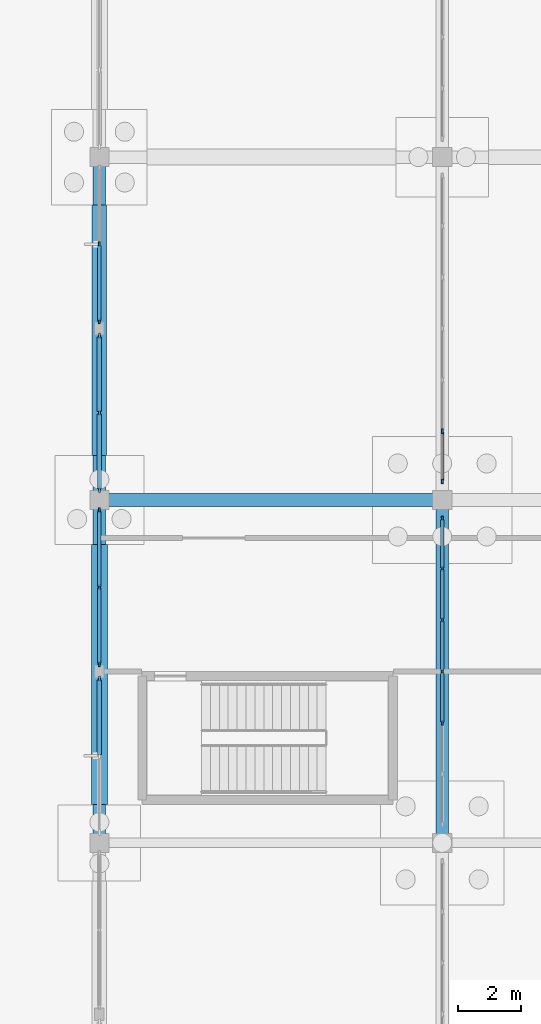
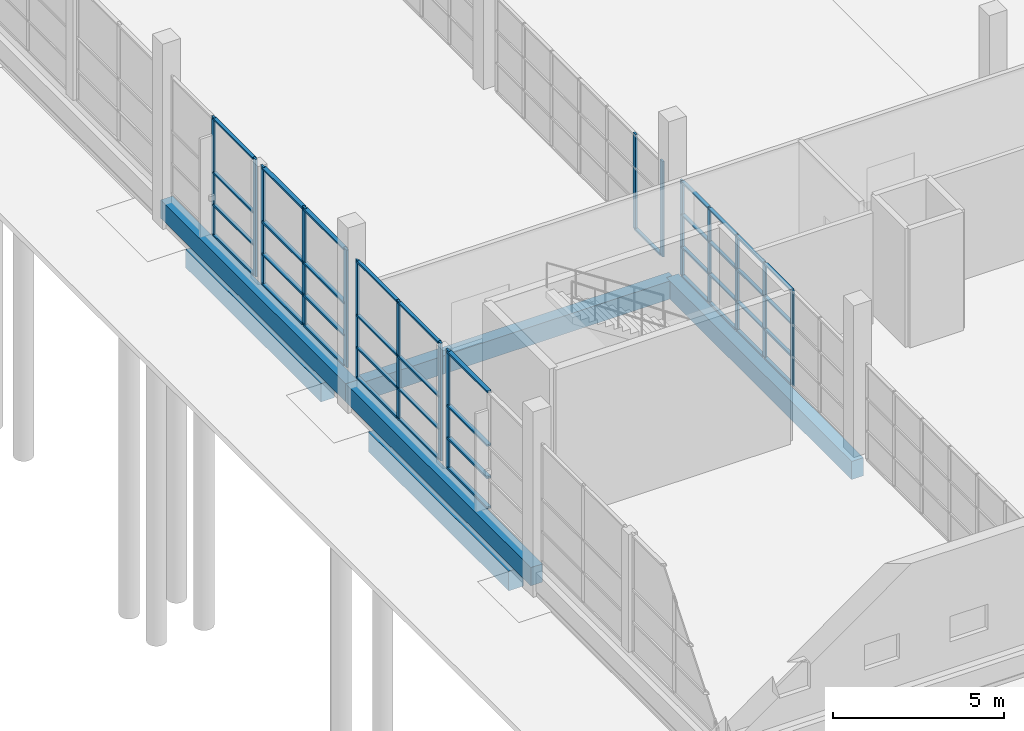
# One storey, part 17 of 138: 57 members, 6 beams, 6 elements without a shape of their own.
"""IFC4 building model written with IfcOpenShell, lengths in metres."""

from ifc_helpers import new_model, si_unit, direction, frame, origin, origin_2d, place, context, subcontext, project, spatial, rectangle, extrude, material, material_profile, profile_set, type_object, element, aggregate, save


model = new_model("IFC4")

# Units and contexts
model_context = context("Model", 3, precision=1e-05, world=origin(), true_north=direction((0.0, 1.0)))
body_context = subcontext(model_context, "Body", "Model", "MODEL_VIEW")
ifc_project = project(units=[si_unit("LENGTHUNIT", "METRE"), si_unit("AREAUNIT", "SQUARE_METRE"), si_unit("VOLUMEUNIT", "CUBIC_METRE"), si_unit("PLANEANGLEUNIT", "RADIAN"), si_unit("MASSUNIT", "GRAM", prefix="KILO")], contexts=[model_context])

# Site, building, storey
site_placement = place(None, origin())
site = spatial("IfcSite", under=ifc_project, at=site_placement, CompositionType="ELEMENT")
building_placement = place(site_placement, origin())
building = spatial("IfcBuilding", under=site, at=building_placement, Name="Zwinboog Wholesale Market", CompositionType="ELEMENT")
storey_placement = place(building_placement, origin())
storey = spatial("IfcBuildingStorey", under=building, at=storey_placement, Name="L00", CompositionType="ELEMENT", Elevation=0.0)

# Beams
ifc_material_1 = material(Name="Precast concrete C45/55", Category="concrete")
ifc_material_profile_1 = material_profile(ifc_material_1, rectangle(XDim=0.39990234375, YDim=0.64990234375, at=origin_2d()), Name="PC 400x650")
ifc_profile_set_1 = profile_set([ifc_material_profile_1], Name="Precast concrete C45/55")
beam_type_1 = type_object("IfcBeamType", Name="BT-05", PredefinedType="BEAM", material=ifc_profile_set_1)
for number, where, z_axis, x_axis, name in (
    (1, (0.0, 21.60009765625, -0.680908203125), (1.0, 0.0, 0.0), (0.0, 1.0, 0.0), "BG-05 (BMG-L00-0000-0216-0029)"),
    (2, (0.0, 10.800048828125, -0.680908203125), (0.0, 1.0, 0.0), (-1.0, 0.0, 0.0), "BG-05 (BMG-L00-0000-0108-0212)"),
):
    element("IfcBeam", number, at=place(storey_placement, frame(where, z_axis=z_axis, x_axis=x_axis)), inside=storey, type_object=beam_type_1, Name=name, PredefinedType="BEAM", context=body_context, shape_type="SweptSolid", body=[
        extrude(rectangle(XDim=0.39990234375, YDim=0.64990234375, at=origin_2d()), origin(), (0.0, 0.0, 1.0), 10.800048828125),
    ])
beam_1_placement = place(storey_placement, frame((0.0, 21.60009765625, -0.680908203125), z_axis=(0.0, 1.0, 0.0), x_axis=(-1.0, 0.0, 0.0)))
element("IfcBeam", 3, at=beam_1_placement, inside=storey, type_object=beam_type_1, Name="BG-05 (BMG-L00-0000-0216-0213)", PredefinedType="BEAM", context=body_context, shape_type="SweptSolid", body=[
    extrude(rectangle(XDim=0.39990234375, YDim=0.64990234375, at=origin_2d()), origin(), (0.0, 0.0, 1.0), 10.7998046875),
])
beam_2_placement = place(storey_placement, frame((10.800048828125, 10.800048828125, -0.680908203125), z_axis=(0.0, 1.0, 0.0), x_axis=(-1.0, 0.0, 0.0)))
element("IfcBeam", 4, at=beam_2_placement, inside=storey, type_object=beam_type_1, Name="BG-05 (BMG-L00-0108-0108-0224)", PredefinedType="BEAM", context=body_context, shape_type="SweptSolid", body=[
    extrude(rectangle(XDim=0.39990234375, YDim=0.64990234375, at=origin_2d()), origin(), (0.0, 0.0, 1.0), 10.800048828125),
])
ifc_material_2 = material(Name="Concrete C35/45", Category="concrete")
ifc_material_profile_2 = material_profile(ifc_material_2, rectangle(XDim=0.5, YDim=0.699951171875, at=origin_2d()), Name="RC 500x700")
ifc_profile_set_2 = profile_set([ifc_material_profile_2], Name="Concrete C35/45")
beam_type_2 = type_object("IfcBeamType", Name="BT-12", PredefinedType="USERDEFINED", material=ifc_profile_set_2)
beam_3_placement = place(storey_placement, frame((0.0, 12.0048828125, -1.550048828125), z_axis=(0.0, 1.0, 0.0), x_axis=(-1.0, 0.0, 0.0)))
element("IfcBeam", 5, at=beam_3_placement, inside=storey, type_object=beam_type_2, Name="GB-01 (BM-GB-0128)", ObjectType="GROUND_BEAM", PredefinedType="USERDEFINED", context=body_context, shape_type="SweptSolid", body=[
    extrude(rectangle(XDim=0.5, YDim=0.699951171875, at=origin_2d()), origin(), (0.0, 0.0, 1.0), 8.190185546875),
])
ifc_material_profile_3 = material_profile(ifc_material_2, rectangle(XDim=0.449951171875, YDim=0.64990234375, at=origin_2d()), Name="RC 450x650")
ifc_profile_set_3 = profile_set([ifc_material_profile_3], Name="Concrete C35/45")
beam_type_3 = type_object("IfcBeamType", Name="BT-13", PredefinedType="USERDEFINED", material=ifc_profile_set_3)
beam_4_placement = place(storey_placement, frame((0.0, 23.0048828125, -1.52490234375), z_axis=(0.0, 1.0, 0.0), x_axis=(-1.0, 0.0, 0.0)))
element("IfcBeam", 6, at=beam_4_placement, inside=storey, type_object=beam_type_3, Name="GB-02 (BM-GB-0129)", ObjectType="GROUND_BEAM", PredefinedType="USERDEFINED", context=body_context, shape_type="SweptSolid", body=[
    extrude(rectangle(XDim=0.449951171875, YDim=0.64990234375, at=origin_2d()), origin(), (0.0, 0.0, 1.0), 7.89013671875),
])

# Curtain wall, member
ifc_material_3 = material(Name="Aluminium thermally broken curtain wall", Category="aluminium")
curtain_wall_type_1 = type_object("IfcCurtainWallType", Name="CWT-HALL-24", PredefinedType="USERDEFINED", material=ifc_material_3)
curtain_wall_1_placement = place(storey_placement, origin())
curtain_wall_1 = element("IfcCurtainWall", 7, at=curtain_wall_1_placement, inside=storey, type_object=curtain_wall_type_1, Name="CW-03 (CW-L00-003)", ObjectType="UNITIZED_CURTAIN_WALL", PredefinedType="USERDEFINED")
ifc_material_4 = material(Name="Aluminium EN AW-6060", Category="aluminium")
ifc_material_profile_4 = material_profile(ifc_material_4, rectangle(XDim=0.06494140625, YDim=0.179931640625, at=origin_2d()), Name="AL 65x180")
ifc_profile_set_4 = profile_set([ifc_material_profile_4], Name="Aluminium EN AW-6060")
member_type_1 = type_object("IfcMemberType", Name="CWM-65x180", PredefinedType="MULLION", material=ifc_profile_set_4)
member_1_placement = place(storey_placement, frame((0.0, 15.967529296875, 0.0), z_axis=(0.0, 0.0, 1.0), x_axis=(-1.0, 0.0, 0.0)))
member_1 = element("IfcMember", 8, at=member_1_placement, type_object=member_type_1, Name="CW-03 mullion 3", PredefinedType="MULLION", context=body_context, shape_type="SweptSolid", body=[
    extrude(rectangle(XDim=0.06494140625, YDim=0.179931640625, at=origin_2d()), origin(), (0.0, 0.0, 1.0), 4.197998046875),
])

# Curtain wall, members
curtain_wall_type_2 = type_object("IfcCurtainWallType", Name="CWT-CAFE-22", PredefinedType="USERDEFINED", material=ifc_material_3)
curtain_wall_2_placement = place(storey_placement, origin())
curtain_wall_2 = element("IfcCurtainWall", 9, at=curtain_wall_2_placement, inside=storey, type_object=curtain_wall_type_2, Name="CW-05 (CW-L00-005)", ObjectType="STOREFRONT_GLAZING", PredefinedType="USERDEFINED")
member_2_placement = place(storey_placement, frame((0.0, 21.927490234375, 0.0), z_axis=(0.0, 0.0, 1.0), x_axis=(-1.0, 0.0, 0.0)))
member_2 = element("IfcMember", 10, at=member_2_placement, type_object=member_type_1, Name="CW-05 mullion 1", PredefinedType="MULLION", context=body_context, shape_type="SweptSolid", body=[
    extrude(rectangle(XDim=0.06494140625, YDim=0.179931640625, at=origin_2d()), origin(), (0.0, 0.0, 1.0), 4.197998046875),
])
member_3_placement = place(storey_placement, frame((0.0, 24.347412109375, 0.0), z_axis=(0.0, 0.0, 1.0), x_axis=(-1.0, 0.0, 0.0)))
member_3 = element("IfcMember", 11, at=member_3_placement, type_object=member_type_1, Name="CW-05 mullion 2", PredefinedType="MULLION", context=body_context, shape_type="SweptSolid", body=[
    extrude(rectangle(XDim=0.06494140625, YDim=0.179931640625, at=origin_2d()), origin(), (0.0, 0.0, 1.0), 4.197998046875),
])
member_4_placement = place(storey_placement, frame((0.0, 26.767578125, 0.0), z_axis=(0.0, 0.0, 1.0), x_axis=(-1.0, 0.0, 0.0)))
member_4 = element("IfcMember", 12, at=member_4_placement, type_object=member_type_1, Name="CW-05 mullion 3", PredefinedType="MULLION", context=body_context, shape_type="SweptSolid", body=[
    extrude(rectangle(XDim=0.06494140625, YDim=0.179931640625, at=origin_2d()), origin(), (0.0, 0.0, 1.0), 4.197998046875),
])

curtain_wall_type_3 = type_object("IfcCurtainWallType", Name="CWT-GAL-16", PredefinedType="USERDEFINED", material=ifc_material_3)
curtain_wall_3_placement = place(storey_placement, origin())
curtain_wall_3 = element("IfcCurtainWall", 13, at=curtain_wall_3_placement, inside=storey, type_object=curtain_wall_type_3, Name="CW-04 (CW-L00-004)", ObjectType="UNITIZED_CURTAIN_WALL", PredefinedType="USERDEFINED")
ifc_material_profile_5 = material_profile(ifc_material_4, rectangle(XDim=0.06005859375, YDim=0.14990234375, at=origin_2d()), Name="AL 60x150")
ifc_profile_set_5 = profile_set([ifc_material_profile_5], Name="Aluminium EN AW-6060")
member_type_2 = type_object("IfcMemberType", Name="CWM-60x150", PredefinedType="MULLION", material=ifc_profile_set_5)
member_5_placement = place(storey_placement, frame((0.0, 16.429931640625, 0.0), z_axis=(0.0, 0.0, 1.0), x_axis=(-1.0, 0.0, 0.0)))
member_5 = element("IfcMember", 14, at=member_5_placement, type_object=member_type_2, Name="CW-04 mullion 1", PredefinedType="MULLION", context=body_context, shape_type="SweptSolid", body=[
    extrude(rectangle(XDim=0.06005859375, YDim=0.14990234375, at=origin_2d()), origin(), (0.0, 0.0, 1.0), 4.197998046875),
])
member_6_placement = place(storey_placement, frame((0.0, 18.8525390625, 0.0), z_axis=(0.0, 0.0, 1.0), x_axis=(-1.0, 0.0, 0.0)))
member_6 = element("IfcMember", 15, at=member_6_placement, type_object=member_type_2, Name="CW-04 mullion 2", PredefinedType="MULLION", context=body_context, shape_type="SweptSolid", body=[
    extrude(rectangle(XDim=0.06005859375, YDim=0.14990234375, at=origin_2d()), origin(), (0.0, 0.0, 1.0), 4.197998046875),
])
member_7_placement = place(storey_placement, frame((0.0, 21.27490234375, 0.0), z_axis=(0.0, 0.0, 1.0), x_axis=(-1.0, 0.0, 0.0)))
member_7 = element("IfcMember", 16, at=member_7_placement, type_object=member_type_2, Name="CW-04 mullion 3", PredefinedType="MULLION", context=body_context, shape_type="SweptSolid", body=[
    extrude(rectangle(XDim=0.06005859375, YDim=0.14990234375, at=origin_2d()), origin(), (0.0, 0.0, 1.0), 4.197998046875),
])

curtain_wall_type_4 = type_object("IfcCurtainWallType", Name="CWT-OFF-15", PredefinedType="USERDEFINED", material=ifc_material_3)
curtain_wall_4_placement = place(storey_placement, origin())
curtain_wall_4 = element("IfcCurtainWall", 17, at=curtain_wall_4_placement, inside=storey, type_object=curtain_wall_type_4, Name="CW-06 (CW-L00-006)", ObjectType="UNITIZED_CURTAIN_WALL", PredefinedType="USERDEFINED")
member_8_placement = place(storey_placement, frame((0.0, 27.22998046875, 0.0), z_axis=(0.0, 0.0, 1.0), x_axis=(-1.0, 0.0, 0.0)))
member_8 = element("IfcMember", 18, at=member_8_placement, type_object=member_type_2, Name="CW-06 mullion 1", PredefinedType="MULLION", context=body_context, shape_type="SweptSolid", body=[
    extrude(rectangle(XDim=0.06005859375, YDim=0.14990234375, at=origin_2d()), origin(), (0.0, 0.0, 1.0), 4.197998046875),
])
member_9_placement = place(storey_placement, frame((0.0, 29.652587890625, 0.0), z_axis=(0.0, 0.0, 1.0), x_axis=(-1.0, 0.0, 0.0)))
member_9 = element("IfcMember", 19, at=member_9_placement, type_object=member_type_2, Name="CW-06 mullion 2", PredefinedType="MULLION", context=body_context, shape_type="SweptSolid", body=[
    extrude(rectangle(XDim=0.06005859375, YDim=0.14990234375, at=origin_2d()), origin(), (0.0, 0.0, 1.0), 4.197998046875),
])

# Member
ifc_material_profile_6 = material_profile(ifc_material_4, rectangle(XDim=0.139892578125, YDim=0.06494140625, at=origin_2d()), Name="AL 65x140")
ifc_profile_set_6 = profile_set([ifc_material_profile_6], Name="Aluminium EN AW-6060")
member_type_3 = type_object("IfcMemberType", Name="CWT-65x140", PredefinedType="USERDEFINED", material=ifc_profile_set_6)
member_10_placement = place(storey_placement, frame((0.0, 13.580078125, 0.032470703125), z_axis=(0.0, 1.0, 0.0), x_axis=(-1.0, 0.0, 0.0)))
member_10 = element("IfcMember", 20, at=member_10_placement, type_object=member_type_3, Name="CW-03 transom 2.1", ObjectType="TRANSOM", PredefinedType="USERDEFINED", context=body_context, shape_type="SweptSolid", body=[
    extrude(rectangle(XDim=0.139892578125, YDim=0.06494140625, at=origin_2d()), origin(), (0.0, 0.0, 1.0), 2.35498046875),
])

member_11_placement = place(storey_placement, frame((0.0, 13.580078125, 1.10009765625), z_axis=(0.0, 1.0, 0.0), x_axis=(-1.0, 0.0, 0.0)))
member_11 = element("IfcMember", 21, at=member_11_placement, type_object=member_type_3, Name="CW-03 transom 2.2", ObjectType="TRANSOM", PredefinedType="USERDEFINED", context=body_context, shape_type="SweptSolid", body=[
    extrude(rectangle(XDim=0.139892578125, YDim=0.06494140625, at=origin_2d()), origin(), (0.0, 0.0, 1.0), 2.35498046875),
])

member_12_placement = place(storey_placement, frame((0.0, 13.580078125, 2.25), z_axis=(0.0, 1.0, 0.0), x_axis=(-1.0, 0.0, 0.0)))
member_12 = element("IfcMember", 22, at=member_12_placement, type_object=member_type_3, Name="CW-03 transom 2.3", ObjectType="TRANSOM", PredefinedType="USERDEFINED", context=body_context, shape_type="SweptSolid", body=[
    extrude(rectangle(XDim=0.139892578125, YDim=0.06494140625, at=origin_2d()), origin(), (0.0, 0.0, 1.0), 2.35498046875),
])

member_13_placement = place(storey_placement, frame((0.0, 13.580078125, 4.16552734375), z_axis=(0.0, 1.0, 0.0), x_axis=(-1.0, 0.0, 0.0)))
member_13 = element("IfcMember", 23, at=member_13_placement, type_object=member_type_3, Name="CW-03 transom 2.4", ObjectType="TRANSOM", PredefinedType="USERDEFINED", context=body_context, shape_type="SweptSolid", body=[
    extrude(rectangle(XDim=0.139892578125, YDim=0.06494140625, at=origin_2d()), origin(), (0.0, 0.0, 1.0), 2.35498046875),
])

aggregate(curtain_wall_1, [member_1, member_10, member_11, member_12, member_13])

member_14_placement = place(storey_placement, frame((0.0, 21.9599609375, 0.032470703125), z_axis=(0.0, 1.0, 0.0), x_axis=(-1.0, 0.0, 0.0)))
member_14 = element("IfcMember", 24, at=member_14_placement, type_object=member_type_3, Name="CW-05 transom 1.1", ObjectType="TRANSOM", PredefinedType="USERDEFINED", context=body_context, shape_type="SweptSolid", body=[
    extrude(rectangle(XDim=0.139892578125, YDim=0.06494140625, at=origin_2d()), origin(), (0.0, 0.0, 1.0), 2.35498046875),
])

member_15_placement = place(storey_placement, frame((0.0, 21.9599609375, 1.10009765625), z_axis=(0.0, 1.0, 0.0), x_axis=(-1.0, 0.0, 0.0)))
member_15 = element("IfcMember", 25, at=member_15_placement, type_object=member_type_3, Name="CW-05 transom 1.2", ObjectType="TRANSOM", PredefinedType="USERDEFINED", context=body_context, shape_type="SweptSolid", body=[
    extrude(rectangle(XDim=0.139892578125, YDim=0.06494140625, at=origin_2d()), origin(), (0.0, 0.0, 1.0), 2.35498046875),
])

member_16_placement = place(storey_placement, frame((0.0, 21.9599609375, 2.25), z_axis=(0.0, 1.0, 0.0), x_axis=(-1.0, 0.0, 0.0)))
member_16 = element("IfcMember", 26, at=member_16_placement, type_object=member_type_3, Name="CW-05 transom 1.3", ObjectType="TRANSOM", PredefinedType="USERDEFINED", context=body_context, shape_type="SweptSolid", body=[
    extrude(rectangle(XDim=0.139892578125, YDim=0.06494140625, at=origin_2d()), origin(), (0.0, 0.0, 1.0), 2.35498046875),
])

member_17_placement = place(storey_placement, frame((0.0, 21.9599609375, 4.16552734375), z_axis=(0.0, 1.0, 0.0), x_axis=(-1.0, 0.0, 0.0)))
member_17 = element("IfcMember", 27, at=member_17_placement, type_object=member_type_3, Name="CW-05 transom 1.4", ObjectType="TRANSOM", PredefinedType="USERDEFINED", context=body_context, shape_type="SweptSolid", body=[
    extrude(rectangle(XDim=0.139892578125, YDim=0.06494140625, at=origin_2d()), origin(), (0.0, 0.0, 1.0), 2.35498046875),
])

member_18_placement = place(storey_placement, frame((0.0, 24.3798828125, 0.032470703125), z_axis=(0.0, 1.0, 0.0), x_axis=(-1.0, 0.0, 0.0)))
member_18 = element("IfcMember", 28, at=member_18_placement, type_object=member_type_3, Name="CW-05 transom 2.1", ObjectType="TRANSOM", PredefinedType="USERDEFINED", context=body_context, shape_type="SweptSolid", body=[
    extrude(rectangle(XDim=0.139892578125, YDim=0.06494140625, at=origin_2d()), origin(), (0.0, 0.0, 1.0), 2.355224609375),
])

member_19_placement = place(storey_placement, frame((0.0, 24.3798828125, 1.10009765625), z_axis=(0.0, 1.0, 0.0), x_axis=(-1.0, 0.0, 0.0)))
member_19 = element("IfcMember", 29, at=member_19_placement, type_object=member_type_3, Name="CW-05 transom 2.2", ObjectType="TRANSOM", PredefinedType="USERDEFINED", context=body_context, shape_type="SweptSolid", body=[
    extrude(rectangle(XDim=0.139892578125, YDim=0.06494140625, at=origin_2d()), origin(), (0.0, 0.0, 1.0), 2.355224609375),
])

member_20_placement = place(storey_placement, frame((0.0, 24.3798828125, 2.25), z_axis=(0.0, 1.0, 0.0), x_axis=(-1.0, 0.0, 0.0)))
member_20 = element("IfcMember", 30, at=member_20_placement, type_object=member_type_3, Name="CW-05 transom 2.3", ObjectType="TRANSOM", PredefinedType="USERDEFINED", context=body_context, shape_type="SweptSolid", body=[
    extrude(rectangle(XDim=0.139892578125, YDim=0.06494140625, at=origin_2d()), origin(), (0.0, 0.0, 1.0), 2.355224609375),
])

member_21_placement = place(storey_placement, frame((0.0, 24.3798828125, 4.16552734375), z_axis=(0.0, 1.0, 0.0), x_axis=(-1.0, 0.0, 0.0)))
member_21 = element("IfcMember", 31, at=member_21_placement, type_object=member_type_3, Name="CW-05 transom 2.4", ObjectType="TRANSOM", PredefinedType="USERDEFINED", context=body_context, shape_type="SweptSolid", body=[
    extrude(rectangle(XDim=0.139892578125, YDim=0.06494140625, at=origin_2d()), origin(), (0.0, 0.0, 1.0), 2.355224609375),
])

aggregate(curtain_wall_2, [member_2, member_3, member_4, member_14, member_15, member_16, member_17, member_18, member_19, member_20, member_21])

ifc_material_profile_7 = material_profile(ifc_material_4, rectangle(XDim=0.110107421875, YDim=0.06005859375, at=origin_2d()), Name="AL 60x110")
ifc_profile_set_7 = profile_set([ifc_material_profile_7], Name="Aluminium EN AW-6060")
member_type_4 = type_object("IfcMemberType", Name="CWT-60x110", PredefinedType="USERDEFINED", material=ifc_profile_set_7)
member_22_placement = place(storey_placement, frame((0.0, 16.4599609375, 0.030029296875), z_axis=(0.0, 1.0, 0.0), x_axis=(-1.0, 0.0, 0.0)))
member_22 = element("IfcMember", 32, at=member_22_placement, type_object=member_type_4, Name="CW-04 transom 1.1", ObjectType="TRANSOM", PredefinedType="USERDEFINED", context=body_context, shape_type="SweptSolid", body=[
    extrude(rectangle(XDim=0.110107421875, YDim=0.06005859375, at=origin_2d()), origin(), (0.0, 0.0, 1.0), 2.362548828125),
])

member_23_placement = place(storey_placement, frame((0.0, 16.4599609375, 1.10009765625), z_axis=(0.0, 1.0, 0.0), x_axis=(-1.0, 0.0, 0.0)))
member_23 = element("IfcMember", 33, at=member_23_placement, type_object=member_type_4, Name="CW-04 transom 1.2", ObjectType="TRANSOM", PredefinedType="USERDEFINED", context=body_context, shape_type="SweptSolid", body=[
    extrude(rectangle(XDim=0.110107421875, YDim=0.06005859375, at=origin_2d()), origin(), (0.0, 0.0, 1.0), 2.362548828125),
])

member_24_placement = place(storey_placement, frame((0.0, 16.4599609375, 2.25), z_axis=(0.0, 1.0, 0.0), x_axis=(-1.0, 0.0, 0.0)))
member_24 = element("IfcMember", 34, at=member_24_placement, type_object=member_type_4, Name="CW-04 transom 1.3", ObjectType="TRANSOM", PredefinedType="USERDEFINED", context=body_context, shape_type="SweptSolid", body=[
    extrude(rectangle(XDim=0.110107421875, YDim=0.06005859375, at=origin_2d()), origin(), (0.0, 0.0, 1.0), 2.362548828125),
])

member_25_placement = place(storey_placement, frame((0.0, 16.4599609375, 4.16796875), z_axis=(0.0, 1.0, 0.0), x_axis=(-1.0, 0.0, 0.0)))
member_25 = element("IfcMember", 35, at=member_25_placement, type_object=member_type_4, Name="CW-04 transom 1.4", ObjectType="TRANSOM", PredefinedType="USERDEFINED", context=body_context, shape_type="SweptSolid", body=[
    extrude(rectangle(XDim=0.110107421875, YDim=0.06005859375, at=origin_2d()), origin(), (0.0, 0.0, 1.0), 2.362548828125),
])

member_26_placement = place(storey_placement, frame((0.0, 18.882568359375, 0.030029296875), z_axis=(0.0, 1.0, 0.0), x_axis=(-1.0, 0.0, 0.0)))
member_26 = element("IfcMember", 36, at=member_26_placement, type_object=member_type_4, Name="CW-04 transom 2.1", ObjectType="TRANSOM", PredefinedType="USERDEFINED", context=body_context, shape_type="SweptSolid", body=[
    extrude(rectangle(XDim=0.110107421875, YDim=0.06005859375, at=origin_2d()), origin(), (0.0, 0.0, 1.0), 2.362548828125),
])

member_27_placement = place(storey_placement, frame((0.0, 18.882568359375, 1.10009765625), z_axis=(0.0, 1.0, 0.0), x_axis=(-1.0, 0.0, 0.0)))
member_27 = element("IfcMember", 37, at=member_27_placement, type_object=member_type_4, Name="CW-04 transom 2.2", ObjectType="TRANSOM", PredefinedType="USERDEFINED", context=body_context, shape_type="SweptSolid", body=[
    extrude(rectangle(XDim=0.110107421875, YDim=0.06005859375, at=origin_2d()), origin(), (0.0, 0.0, 1.0), 2.362548828125),
])

member_28_placement = place(storey_placement, frame((0.0, 18.882568359375, 2.25), z_axis=(0.0, 1.0, 0.0), x_axis=(-1.0, 0.0, 0.0)))
member_28 = element("IfcMember", 38, at=member_28_placement, type_object=member_type_4, Name="CW-04 transom 2.3", ObjectType="TRANSOM", PredefinedType="USERDEFINED", context=body_context, shape_type="SweptSolid", body=[
    extrude(rectangle(XDim=0.110107421875, YDim=0.06005859375, at=origin_2d()), origin(), (0.0, 0.0, 1.0), 2.362548828125),
])

member_29_placement = place(storey_placement, frame((0.0, 18.882568359375, 4.16796875), z_axis=(0.0, 1.0, 0.0), x_axis=(-1.0, 0.0, 0.0)))
member_29 = element("IfcMember", 39, at=member_29_placement, type_object=member_type_4, Name="CW-04 transom 2.4", ObjectType="TRANSOM", PredefinedType="USERDEFINED", context=body_context, shape_type="SweptSolid", body=[
    extrude(rectangle(XDim=0.110107421875, YDim=0.06005859375, at=origin_2d()), origin(), (0.0, 0.0, 1.0), 2.362548828125),
])

aggregate(curtain_wall_3, [member_5, member_6, member_7, member_22, member_23, member_24, member_25, member_26, member_27, member_28, member_29])

member_30_placement = place(storey_placement, frame((0.0, 27.260009765625, 0.030029296875), z_axis=(0.0, 1.0, 0.0), x_axis=(-1.0, 0.0, 0.0)))
member_30 = element("IfcMember", 40, at=member_30_placement, type_object=member_type_4, Name="CW-06 transom 1.1", ObjectType="TRANSOM", PredefinedType="USERDEFINED", context=body_context, shape_type="SweptSolid", body=[
    extrude(rectangle(XDim=0.110107421875, YDim=0.06005859375, at=origin_2d()), origin(), (0.0, 0.0, 1.0), 2.362548828125),
])

member_31_placement = place(storey_placement, frame((0.0, 27.260009765625, 1.10009765625), z_axis=(0.0, 1.0, 0.0), x_axis=(-1.0, 0.0, 0.0)))
member_31 = element("IfcMember", 41, at=member_31_placement, type_object=member_type_4, Name="CW-06 transom 1.2", ObjectType="TRANSOM", PredefinedType="USERDEFINED", context=body_context, shape_type="SweptSolid", body=[
    extrude(rectangle(XDim=0.110107421875, YDim=0.06005859375, at=origin_2d()), origin(), (0.0, 0.0, 1.0), 2.362548828125),
])

member_32_placement = place(storey_placement, frame((0.0, 27.260009765625, 2.25), z_axis=(0.0, 1.0, 0.0), x_axis=(-1.0, 0.0, 0.0)))
member_32 = element("IfcMember", 42, at=member_32_placement, type_object=member_type_4, Name="CW-06 transom 1.3", ObjectType="TRANSOM", PredefinedType="USERDEFINED", context=body_context, shape_type="SweptSolid", body=[
    extrude(rectangle(XDim=0.110107421875, YDim=0.06005859375, at=origin_2d()), origin(), (0.0, 0.0, 1.0), 2.362548828125),
])

member_33_placement = place(storey_placement, frame((0.0, 27.260009765625, 4.16796875), z_axis=(0.0, 1.0, 0.0), x_axis=(-1.0, 0.0, 0.0)))
member_33 = element("IfcMember", 43, at=member_33_placement, type_object=member_type_4, Name="CW-06 transom 1.4", ObjectType="TRANSOM", PredefinedType="USERDEFINED", context=body_context, shape_type="SweptSolid", body=[
    extrude(rectangle(XDim=0.110107421875, YDim=0.06005859375, at=origin_2d()), origin(), (0.0, 0.0, 1.0), 2.362548828125),
])

aggregate(curtain_wall_4, [member_8, member_9, member_30, member_31, member_32, member_33])

# Curtain wall, members
curtain_wall_type_5 = type_object("IfcCurtainWallType", Name="CWT-INT-STALL", PredefinedType="USERDEFINED", material=ifc_material_3)
curtain_wall_5_placement = place(storey_placement, origin())
curtain_wall_5 = element("IfcCurtainWall", 44, at=curtain_wall_5_placement, inside=storey, type_object=curtain_wall_type_5, Name="CW-07 (CW-STL-210)", ObjectType="STOREFRONT_GLAZING", PredefinedType="USERDEFINED")
ifc_material_profile_8 = material_profile(ifc_material_4, rectangle(XDim=0.06005859375, YDim=0.14990234375, at=origin_2d()), Name="AL 60x150")
ifc_profile_set_8 = profile_set([ifc_material_profile_8], Name="Aluminium EN AW-6060")
member_type_5 = type_object("IfcMemberType", Name="CWM-INT-60x120", PredefinedType="MULLION", material=ifc_profile_set_8)
member_34_placement = place(storey_placement, frame((10.800048828125, 14.583251953125, 0.0), z_axis=(0.0, 0.0, 1.0), x_axis=(-1.0, 0.0, 0.0)))
member_34 = element("IfcMember", 45, at=member_34_placement, type_object=member_type_5, Name="CW-07 mullion 3", PredefinedType="MULLION", context=body_context, shape_type="SweptSolid", body=[
    extrude(rectangle(XDim=0.06005859375, YDim=0.14990234375, at=origin_2d()), origin(), (0.0, 0.0, 1.0), 3.39990234375),
])
member_35_placement = place(storey_placement, frame((10.800048828125, 16.199951171875, 0.0), z_axis=(0.0, 0.0, 1.0), x_axis=(-1.0, 0.0, 0.0)))
member_35 = element("IfcMember", 46, at=member_35_placement, type_object=member_type_5, Name="CW-07 mullion 4", PredefinedType="MULLION", context=body_context, shape_type="SweptSolid", body=[
    extrude(rectangle(XDim=0.06005859375, YDim=0.14990234375, at=origin_2d()), origin(), (0.0, 0.0, 1.0), 3.39990234375),
])
member_36_placement = place(storey_placement, frame((10.800048828125, 17.816650390625, 0.0), z_axis=(0.0, 0.0, 1.0), x_axis=(-1.0, 0.0, 0.0)))
member_36 = element("IfcMember", 47, at=member_36_placement, type_object=member_type_5, Name="CW-07 mullion 5", PredefinedType="MULLION", context=body_context, shape_type="SweptSolid", body=[
    extrude(rectangle(XDim=0.06005859375, YDim=0.14990234375, at=origin_2d()), origin(), (0.0, 0.0, 1.0), 3.39990234375),
])
member_37_placement = place(storey_placement, frame((10.800048828125, 19.433349609375, 0.0), z_axis=(0.0, 0.0, 1.0), x_axis=(-1.0, 0.0, 0.0)))
member_37 = element("IfcMember", 48, at=member_37_placement, type_object=member_type_5, Name="CW-07 mullion 6", PredefinedType="MULLION", context=body_context, shape_type="SweptSolid", body=[
    extrude(rectangle(XDim=0.06005859375, YDim=0.14990234375, at=origin_2d()), origin(), (0.0, 0.0, 1.0), 3.39990234375),
])
member_38_placement = place(storey_placement, frame((10.800048828125, 21.02001953125, 0.0), z_axis=(0.0, 0.0, 1.0), x_axis=(-1.0, 0.0, 0.0)))
member_38 = element("IfcMember", 49, at=member_38_placement, type_object=member_type_5, Name="CW-07 mullion 7", PredefinedType="MULLION", context=body_context, shape_type="SweptSolid", body=[
    extrude(rectangle(XDim=0.06005859375, YDim=0.14990234375, at=origin_2d()), origin(), (0.0, 0.0, 1.0), 3.39990234375),
])

curtain_wall_6_placement = place(storey_placement, origin())
curtain_wall_6 = element("IfcCurtainWall", 50, at=curtain_wall_6_placement, inside=storey, type_object=curtain_wall_type_5, Name="CW-07 (CW-STL-211)", ObjectType="STOREFRONT_GLAZING", PredefinedType="USERDEFINED")
member_39_placement = place(storey_placement, frame((10.800048828125, 22.179931640625, 0.0), z_axis=(0.0, 0.0, 1.0), x_axis=(-1.0, 0.0, 0.0)))
member_39 = element("IfcMember", 51, at=member_39_placement, type_object=member_type_5, Name="CW-07 mullion 1", PredefinedType="MULLION", context=body_context, shape_type="SweptSolid", body=[
    extrude(rectangle(XDim=0.06005859375, YDim=0.14990234375, at=origin_2d()), origin(), (0.0, 0.0, 1.0), 3.39990234375),
])
member_40_placement = place(storey_placement, frame((10.800048828125, 23.7666015625, 0.0), z_axis=(0.0, 0.0, 1.0), x_axis=(-1.0, 0.0, 0.0)))
member_40 = element("IfcMember", 52, at=member_40_placement, type_object=member_type_5, Name="CW-07 mullion 2", PredefinedType="MULLION", context=body_context, shape_type="SweptSolid", body=[
    extrude(rectangle(XDim=0.06005859375, YDim=0.14990234375, at=origin_2d()), origin(), (0.0, 0.0, 1.0), 3.39990234375),
])

# Member
ifc_material_profile_9 = material_profile(ifc_material_4, rectangle(XDim=0.110107421875, YDim=0.06005859375, at=origin_2d()), Name="AL 60x110")
ifc_profile_set_9 = profile_set([ifc_material_profile_9], Name="Aluminium EN AW-6060")
member_type_6 = type_object("IfcMemberType", Name="CWT-INT-60x100", PredefinedType="USERDEFINED", material=ifc_profile_set_9)
member_41_placement = place(storey_placement, frame((10.800048828125, 14.61328125, 0.030029296875), z_axis=(0.0, 1.0, 0.0), x_axis=(-1.0, 0.0, 0.0)))
member_41 = element("IfcMember", 53, at=member_41_placement, type_object=member_type_6, Name="CW-07 transom 3.1", ObjectType="TRANSOM", PredefinedType="USERDEFINED", context=body_context, shape_type="SweptSolid", body=[
    extrude(rectangle(XDim=0.110107421875, YDim=0.06005859375, at=origin_2d()), origin(), (0.0, 0.0, 1.0), 1.556640625),
])

member_42_placement = place(storey_placement, frame((10.800048828125, 14.61328125, 1.050048828125), z_axis=(0.0, 1.0, 0.0), x_axis=(-1.0, 0.0, 0.0)))
member_42 = element("IfcMember", 54, at=member_42_placement, type_object=member_type_6, Name="CW-07 transom 3.2", ObjectType="TRANSOM", PredefinedType="USERDEFINED", context=body_context, shape_type="SweptSolid", body=[
    extrude(rectangle(XDim=0.110107421875, YDim=0.06005859375, at=origin_2d()), origin(), (0.0, 0.0, 1.0), 1.556640625),
])

member_43_placement = place(storey_placement, frame((10.800048828125, 14.61328125, 2.199951171875), z_axis=(0.0, 1.0, 0.0), x_axis=(-1.0, 0.0, 0.0)))
member_43 = element("IfcMember", 55, at=member_43_placement, type_object=member_type_6, Name="CW-07 transom 3.3", ObjectType="TRANSOM", PredefinedType="USERDEFINED", context=body_context, shape_type="SweptSolid", body=[
    extrude(rectangle(XDim=0.110107421875, YDim=0.06005859375, at=origin_2d()), origin(), (0.0, 0.0, 1.0), 1.556640625),
])

member_44_placement = place(storey_placement, frame((10.800048828125, 14.61328125, 3.3701171875), z_axis=(0.0, 1.0, 0.0), x_axis=(-1.0, 0.0, 0.0)))
member_44 = element("IfcMember", 56, at=member_44_placement, type_object=member_type_6, Name="CW-07 transom 3.4", ObjectType="TRANSOM", PredefinedType="USERDEFINED", context=body_context, shape_type="SweptSolid", body=[
    extrude(rectangle(XDim=0.110107421875, YDim=0.06005859375, at=origin_2d()), origin(), (0.0, 0.0, 1.0), 1.556640625),
])

member_45_placement = place(storey_placement, frame((10.800048828125, 16.22998046875, 0.030029296875), z_axis=(0.0, 1.0, 0.0), x_axis=(-1.0, 0.0, 0.0)))
member_45 = element("IfcMember", 57, at=member_45_placement, type_object=member_type_6, Name="CW-07 transom 4.1", ObjectType="TRANSOM", PredefinedType="USERDEFINED", context=body_context, shape_type="SweptSolid", body=[
    extrude(rectangle(XDim=0.110107421875, YDim=0.06005859375, at=origin_2d()), origin(), (0.0, 0.0, 1.0), 1.556640625),
])

member_46_placement = place(storey_placement, frame((10.800048828125, 16.22998046875, 1.050048828125), z_axis=(0.0, 1.0, 0.0), x_axis=(-1.0, 0.0, 0.0)))
member_46 = element("IfcMember", 58, at=member_46_placement, type_object=member_type_6, Name="CW-07 transom 4.2", ObjectType="TRANSOM", PredefinedType="USERDEFINED", context=body_context, shape_type="SweptSolid", body=[
    extrude(rectangle(XDim=0.110107421875, YDim=0.06005859375, at=origin_2d()), origin(), (0.0, 0.0, 1.0), 1.556640625),
])

member_47_placement = place(storey_placement, frame((10.800048828125, 16.22998046875, 2.199951171875), z_axis=(0.0, 1.0, 0.0), x_axis=(-1.0, 0.0, 0.0)))
member_47 = element("IfcMember", 59, at=member_47_placement, type_object=member_type_6, Name="CW-07 transom 4.3", ObjectType="TRANSOM", PredefinedType="USERDEFINED", context=body_context, shape_type="SweptSolid", body=[
    extrude(rectangle(XDim=0.110107421875, YDim=0.06005859375, at=origin_2d()), origin(), (0.0, 0.0, 1.0), 1.556640625),
])

member_48_placement = place(storey_placement, frame((10.800048828125, 16.22998046875, 3.3701171875), z_axis=(0.0, 1.0, 0.0), x_axis=(-1.0, 0.0, 0.0)))
member_48 = element("IfcMember", 60, at=member_48_placement, type_object=member_type_6, Name="CW-07 transom 4.4", ObjectType="TRANSOM", PredefinedType="USERDEFINED", context=body_context, shape_type="SweptSolid", body=[
    extrude(rectangle(XDim=0.110107421875, YDim=0.06005859375, at=origin_2d()), origin(), (0.0, 0.0, 1.0), 1.556640625),
])

member_49_placement = place(storey_placement, frame((10.800048828125, 17.8466796875, 0.030029296875), z_axis=(0.0, 1.0, 0.0), x_axis=(-1.0, 0.0, 0.0)))
member_49 = element("IfcMember", 61, at=member_49_placement, type_object=member_type_6, Name="CW-07 transom 5.1", ObjectType="TRANSOM", PredefinedType="USERDEFINED", context=body_context, shape_type="SweptSolid", body=[
    extrude(rectangle(XDim=0.110107421875, YDim=0.06005859375, at=origin_2d()), origin(), (0.0, 0.0, 1.0), 1.556640625),
])

member_50_placement = place(storey_placement, frame((10.800048828125, 17.8466796875, 1.050048828125), z_axis=(0.0, 1.0, 0.0), x_axis=(-1.0, 0.0, 0.0)))
member_50 = element("IfcMember", 62, at=member_50_placement, type_object=member_type_6, Name="CW-07 transom 5.2", ObjectType="TRANSOM", PredefinedType="USERDEFINED", context=body_context, shape_type="SweptSolid", body=[
    extrude(rectangle(XDim=0.110107421875, YDim=0.06005859375, at=origin_2d()), origin(), (0.0, 0.0, 1.0), 1.556640625),
])

member_51_placement = place(storey_placement, frame((10.800048828125, 17.8466796875, 2.199951171875), z_axis=(0.0, 1.0, 0.0), x_axis=(-1.0, 0.0, 0.0)))
member_51 = element("IfcMember", 63, at=member_51_placement, type_object=member_type_6, Name="CW-07 transom 5.3", ObjectType="TRANSOM", PredefinedType="USERDEFINED", context=body_context, shape_type="SweptSolid", body=[
    extrude(rectangle(XDim=0.110107421875, YDim=0.06005859375, at=origin_2d()), origin(), (0.0, 0.0, 1.0), 1.556640625),
])

member_52_placement = place(storey_placement, frame((10.800048828125, 17.8466796875, 3.3701171875), z_axis=(0.0, 1.0, 0.0), x_axis=(-1.0, 0.0, 0.0)))
member_52 = element("IfcMember", 64, at=member_52_placement, type_object=member_type_6, Name="CW-07 transom 5.4", ObjectType="TRANSOM", PredefinedType="USERDEFINED", context=body_context, shape_type="SweptSolid", body=[
    extrude(rectangle(XDim=0.110107421875, YDim=0.06005859375, at=origin_2d()), origin(), (0.0, 0.0, 1.0), 1.556640625),
])

member_53_placement = place(storey_placement, frame((10.800048828125, 19.46337890625, 0.030029296875), z_axis=(0.0, 1.0, 0.0), x_axis=(-1.0, 0.0, 0.0)))
member_53 = element("IfcMember", 65, at=member_53_placement, type_object=member_type_6, Name="CW-07 transom 6.1", ObjectType="TRANSOM", PredefinedType="USERDEFINED", context=body_context, shape_type="SweptSolid", body=[
    extrude(rectangle(XDim=0.110107421875, YDim=0.06005859375, at=origin_2d()), origin(), (0.0, 0.0, 1.0), 1.526611328125),
])

member_54_placement = place(storey_placement, frame((10.800048828125, 19.46337890625, 1.050048828125), z_axis=(0.0, 1.0, 0.0), x_axis=(-1.0, 0.0, 0.0)))
member_54 = element("IfcMember", 66, at=member_54_placement, type_object=member_type_6, Name="CW-07 transom 6.2", ObjectType="TRANSOM", PredefinedType="USERDEFINED", context=body_context, shape_type="SweptSolid", body=[
    extrude(rectangle(XDim=0.110107421875, YDim=0.06005859375, at=origin_2d()), origin(), (0.0, 0.0, 1.0), 1.526611328125),
])

member_55_placement = place(storey_placement, frame((10.800048828125, 19.46337890625, 2.199951171875), z_axis=(0.0, 1.0, 0.0), x_axis=(-1.0, 0.0, 0.0)))
member_55 = element("IfcMember", 67, at=member_55_placement, type_object=member_type_6, Name="CW-07 transom 6.3", ObjectType="TRANSOM", PredefinedType="USERDEFINED", context=body_context, shape_type="SweptSolid", body=[
    extrude(rectangle(XDim=0.110107421875, YDim=0.06005859375, at=origin_2d()), origin(), (0.0, 0.0, 1.0), 1.526611328125),
])

member_56_placement = place(storey_placement, frame((10.800048828125, 19.46337890625, 3.3701171875), z_axis=(0.0, 1.0, 0.0), x_axis=(-1.0, 0.0, 0.0)))
member_56 = element("IfcMember", 68, at=member_56_placement, type_object=member_type_6, Name="CW-07 transom 6.4", ObjectType="TRANSOM", PredefinedType="USERDEFINED", context=body_context, shape_type="SweptSolid", body=[
    extrude(rectangle(XDim=0.110107421875, YDim=0.06005859375, at=origin_2d()), origin(), (0.0, 0.0, 1.0), 1.526611328125),
])

aggregate(curtain_wall_5, [member_34, member_35, member_36, member_37, member_38, member_41, member_42, member_43, member_44, member_45, member_46, member_47, member_48, member_49, member_50, member_51, member_52, member_53, member_54, member_55, member_56])

member_57_placement = place(storey_placement, frame((10.800048828125, 22.2099609375, 0.030029296875), z_axis=(0.0, 1.0, 0.0), x_axis=(-1.0, 0.0, 0.0)))
member_57 = element("IfcMember", 69, at=member_57_placement, type_object=member_type_6, Name="CW-07 transom 1.1", ObjectType="TRANSOM", PredefinedType="USERDEFINED", context=body_context, shape_type="SweptSolid", body=[
    extrude(rectangle(XDim=0.110107421875, YDim=0.06005859375, at=origin_2d()), origin(), (0.0, 0.0, 1.0), 1.526611328125),
])

aggregate(curtain_wall_6, [member_39, member_40, member_57])

save(model, "model.ifc")
